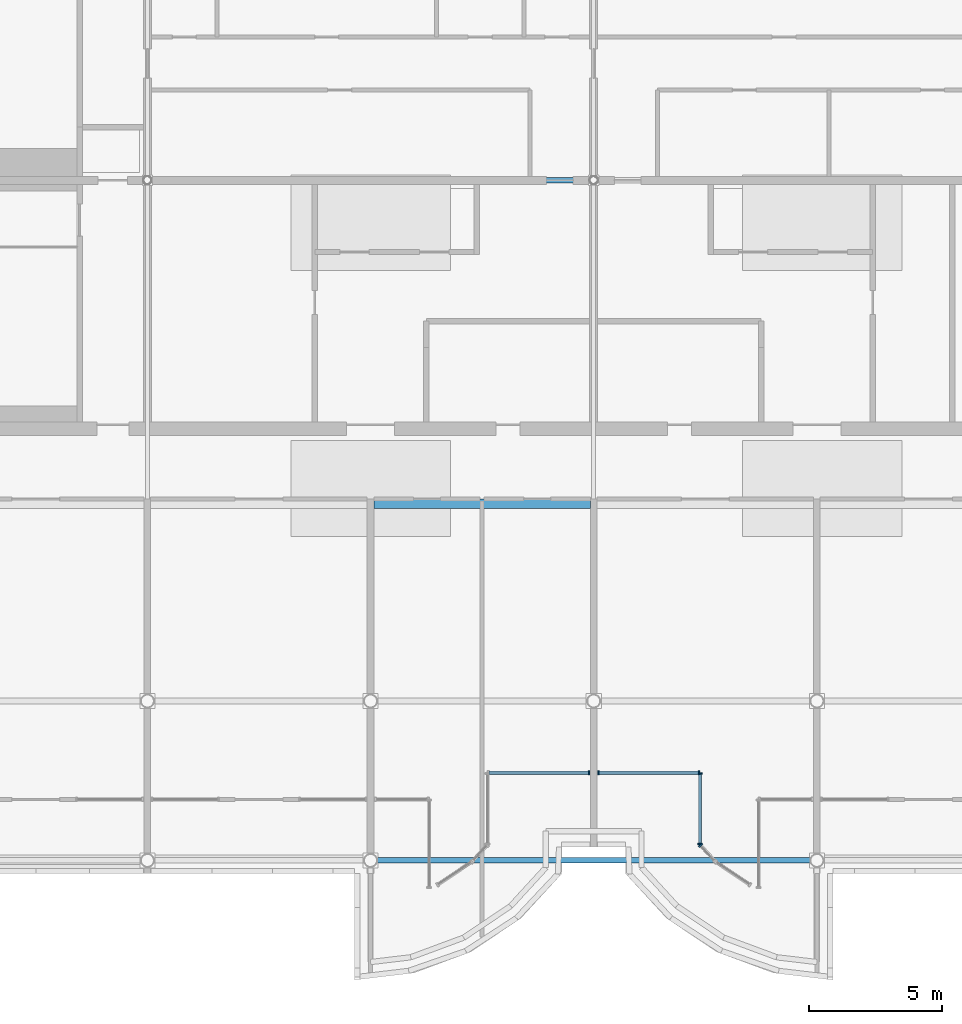
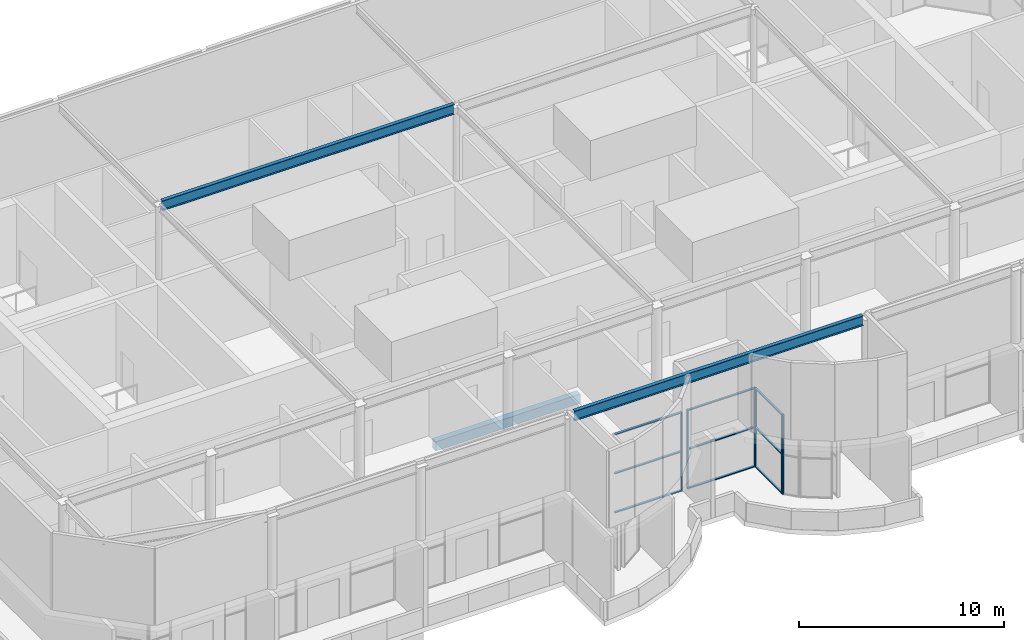
# One storey, part 9 of 25: 15 members, 3 beams, 4 elements without a shape of their own.
"""IFC4 building model written with IfcOpenShell, lengths in metres."""

from ifc_helpers import new_model, si_unit, direction, frame, origin, origin_2d, place, context, subcontext, project, spatial, rectangle, i_section, extrude, source, transform, mapped, material, material_profile, profile_set, type_object, element, aggregate, save


model = new_model("IFC4")

# Units and contexts
model_context = context("Model", 3, precision=1e-05, world=origin(), true_north=direction((0.0, 1.0)))
body_context = subcontext(model_context, "Body", "Model", "MODEL_VIEW")
ifc_project = project(units=[si_unit("LENGTHUNIT", "METRE"), si_unit("AREAUNIT", "SQUARE_METRE"), si_unit("VOLUMEUNIT", "CUBIC_METRE"), si_unit("PLANEANGLEUNIT", "RADIAN"), si_unit("MASSUNIT", "GRAM", prefix="KILO")], contexts=[model_context])

# Site, building, storey
site_placement = place(None, origin())
site = spatial("IfcSite", under=ifc_project, at=site_placement, CompositionType="ELEMENT")
building_placement = place(site_placement, origin())
building = spatial("IfcBuilding", under=site, at=building_placement, Name="Vanashikhar Sky Hotel", CompositionType="ELEMENT")
storey_placement = place(building_placement, frame((0.0, 0.0, 329.699951171875)))
storey = spatial("IfcBuildingStorey", under=building, at=storey_placement, Name="L78", CompositionType="ELEMENT", Elevation=329.699951171875)

# Beams
ifc_material_1 = material(Name="Concrete M50", Category="concrete")
ifc_material_profile_1 = material_profile(ifc_material_1, rectangle(XDim=0.35009765625, YDim=0.550048828125, at=origin_2d()))
ifc_profile_set_1 = profile_set([ifc_material_profile_1], Name="RC 350x550 beam Concrete M50")
beam_type_1 = type_object("IfcBeamType", Name="RC 350x550 beam Concrete M50", PredefinedType="SPANDREL", material=ifc_profile_set_1)
shared_shape_1 = source(origin(), body_context, "Body", "SweptSolid", [
    extrude(rectangle(XDim=0.35009765625, YDim=0.550048828125, at=origin_2d()), origin(), (0.0, 0.0, 1.0), 8.14990234375),
])
beam_1_placement = place(storey_placement, frame((42.125, 19.425048828125, -0.554931640625), z_axis=(1.0, 0.0, 0.0), x_axis=(0.0, 1.0, 0.0)))
element("IfcBeam", 1, at=beam_1_placement, inside=storey, type_object=beam_type_1, Name="CB-L78-03", PredefinedType="SPANDREL", context=body_context, shape_type="MappedRepresentation", body=[
    mapped(shared_shape_1, transform((0.0, 0.0, 0.0), scale=1.0)),
])
ifc_material_2 = material(Name="Steel S355", Category="steel")
ifc_material_profile_2 = material_profile(ifc_material_2, i_section(OverallWidth=0.2099609375, OverallDepth=0.60009765625, WebThickness=0.011962890625, FlangeThickness=0.020751953125, at=origin_2d()), Name="ISMB 600")
ifc_profile_set_2 = profile_set([ifc_material_profile_2], Name="Steel S355")
beam_type_2 = type_object("IfcBeamType", Name="ISMB 600 Steel S355", PredefinedType="BEAM", material=ifc_profile_set_2)
shared_shape_2 = source(origin(), body_context, "Body", "SweptSolid", [
    extrude(i_section(OverallWidth=0.2099609375, OverallDepth=0.60009765625, WebThickness=0.011962890625, FlangeThickness=0.020751953125, at=origin_2d()), origin(), (0.0, 0.0, 1.0), 16.2919921875),
])
beam_2_placement = place(storey_placement, frame((42.25390625, 6.0, 9.300048828125), z_axis=(1.0, 0.0, 0.0), x_axis=(0.0, 1.0, 0.0)))
element("IfcBeam", 2, at=beam_2_placement, inside=storey, type_object=beam_type_2, Name="CR-L78-X03", PredefinedType="BEAM", context=body_context, shape_type="MappedRepresentation", body=[
    mapped(shared_shape_2, transform((0.0, 0.0, 0.0), scale=1.0)),
])
shared_shape_3 = source(origin(), body_context, "Body", "SweptSolid", [
    extrude(i_section(OverallWidth=0.2099609375, OverallDepth=0.60009765625, WebThickness=0.011962890625, FlangeThickness=0.020751953125, at=origin_2d()), origin(), (0.0, 0.0, 1.0), 16.47607421875),
])
beam_3_placement = place(storey_placement, frame((33.761962890625, 31.60009765625, 9.300048828125), z_axis=(1.0, 0.0, 0.0), x_axis=(0.0, 1.0, 0.0)))
element("IfcBeam", 3, at=beam_3_placement, inside=storey, type_object=beam_type_2, Name="CR-L78-XM01", PredefinedType="BEAM", context=body_context, shape_type="MappedRepresentation", body=[
    mapped(shared_shape_3, transform((0.0, 0.0, 0.0), scale=1.0)),
])

# Curtain wall, member
ifc_material_3 = material(Name="Glass", Category="glass")
curtain_wall_type = type_object("IfcCurtainWallType", Name="Observation enclosure", PredefinedType="NOTDEFINED", material=ifc_material_3)
curtain_wall_1_placement = place(storey_placement, origin())
curtain_wall_1 = element("IfcCurtainWall", 4, at=curtain_wall_1_placement, inside=storey, type_object=curtain_wall_type, Name="Observation enclosure", PredefinedType="NOTDEFINED")
ifc_material_4 = material(Name="Aluminium 6063-T6", Category="aluminium")
ifc_material_profile_3 = material_profile(ifc_material_4, rectangle(XDim=0.159912109375, YDim=0.06005859375, at=origin_2d()))
ifc_profile_set_3 = profile_set([ifc_material_profile_3], Name="Aluminium 6063-T6")
member_type_1 = type_object("IfcMemberType", Name="Observation mullion 60 x 160", PredefinedType="MULLION", material=ifc_profile_set_3)
shared_shape_4 = source(origin(), body_context, "Body", "SweptSolid", [
    extrude(rectangle(XDim=0.159912109375, YDim=0.06005859375, at=origin_2d()), origin(), (0.0, 0.0, 1.0), 4.719970703125),
])
member_1_placement = place(storey_placement, frame((50.22509765625, 9.300048828125, 0.0), z_axis=(0.0, 0.0, 1.0), x_axis=(0.0, 1.0, 0.0)))
member_1 = element("IfcMember", 5, at=member_1_placement, type_object=member_type_1, Name="CW-6 mullion 2", PredefinedType="MULLION", context=body_context, shape_type="MappedRepresentation", body=[
    mapped(shared_shape_4, transform((0.0, 0.0, 0.0), scale=1.0)),
])

# Curtain wall, members
curtain_wall_2_placement = place(storey_placement, origin())
curtain_wall_2 = element("IfcCurtainWall", 6, at=curtain_wall_2_placement, inside=storey, type_object=curtain_wall_type, Name="Observation enclosure", PredefinedType="NOTDEFINED")
member_2_placement = place(storey_placement, frame((50.574951171875, 9.300048828125, 0.0), z_axis=(0.0, 0.0, 1.0), x_axis=(0.0, 1.0, 0.0)))
member_2 = element("IfcMember", 7, at=member_2_placement, type_object=member_type_1, Name="CW-6 mullion 1", PredefinedType="MULLION", context=body_context, shape_type="MappedRepresentation", body=[
    mapped(shared_shape_4, transform((0.0, 0.0, 0.0), scale=1.0)),
])
member_3_placement = place(storey_placement, frame((54.3701171875, 9.300048828125, 0.0), z_axis=(0.0, 0.0, 1.0), x_axis=(0.0, 1.0, 0.0)))
member_3 = element("IfcMember", 8, at=member_3_placement, type_object=member_type_1, Name="CW-6 mullion 2", PredefinedType="MULLION", context=body_context, shape_type="MappedRepresentation", body=[
    mapped(shared_shape_4, transform((0.0, 0.0, 0.0), scale=1.0)),
])

curtain_wall_3_placement = place(storey_placement, origin())
curtain_wall_3 = element("IfcCurtainWall", 9, at=curtain_wall_3_placement, inside=storey, type_object=curtain_wall_type, Name="Observation enclosure", PredefinedType="NOTDEFINED")
member_4_placement = place(storey_placement, frame((54.39990234375, 9.27001953125, 0.0), z_axis=(0.0, 0.0, 1.0), x_axis=(1.0, 0.0, 0.0)))
member_4 = element("IfcMember", 10, at=member_4_placement, type_object=member_type_1, Name="CW-6 mullion 1", PredefinedType="MULLION", context=body_context, shape_type="MappedRepresentation", body=[
    mapped(shared_shape_4, transform((0.0, 0.0, 0.0), scale=1.0)),
])
member_5_placement = place(storey_placement, frame((54.39990234375, 6.618408203125, 0.0), z_axis=(0.0, 0.0, 1.0), x_axis=(1.0, 0.0, 0.0)))
member_5 = element("IfcMember", 11, at=member_5_placement, type_object=member_type_1, Name="CW-6 mullion 2", PredefinedType="MULLION", context=body_context, shape_type="MappedRepresentation", body=[
    mapped(shared_shape_4, transform((0.0, 0.0, 0.0), scale=1.0)),
])

# Curtain wall, member
curtain_wall_4_placement = place(storey_placement, origin())
curtain_wall_4 = element("IfcCurtainWall", 12, at=curtain_wall_4_placement, inside=storey, type_object=curtain_wall_type, Name="Observation enclosure", PredefinedType="NOTDEFINED")
member_6_placement = place(storey_placement, frame((54.420166015625, 6.566162109375, 0.0), z_axis=(0.0, 0.0, 1.0), x_axis=(0.737486797128, 0.675361550624, 0.0)))
member_6 = element("IfcMember", 13, at=member_6_placement, type_object=member_type_1, Name="CW-6 mullion 1", PredefinedType="MULLION", context=body_context, shape_type="MappedRepresentation", body=[
    mapped(shared_shape_4, transform((0.0, 0.0, 0.0), scale=1.0)),
])
aggregate(curtain_wall_4, [member_6])

# Member
ifc_material_profile_4 = material_profile(ifc_material_4, rectangle(XDim=0.1201171875, YDim=0.06005859375, at=origin_2d()))
ifc_profile_set_4 = profile_set([ifc_material_profile_4], Name="Aluminium 6063-T6")
member_type_2 = type_object("IfcMemberType", Name="Observation transom 60 x 120", PredefinedType="USERDEFINED", material=ifc_profile_set_4)
shared_shape_5 = source(origin(), body_context, "Body", "SweptSolid", [
    extrude(rectangle(XDim=0.1201171875, YDim=0.06005859375, at=origin_2d()), origin(), (0.0, 0.0, 1.0), 2.591552734375),
])
member_7_placement = place(storey_placement, frame((54.39990234375, 9.239990234375, 0.030029296875), z_axis=(0.0, -1.0, 0.0), x_axis=(1.0, 0.0, 0.0)))
member_7 = element("IfcMember", 14, at=member_7_placement, type_object=member_type_2, Name="CW-6 transom 1.1", ObjectType="TRANSOM", PredefinedType="USERDEFINED", context=body_context, shape_type="MappedRepresentation", body=[
    mapped(shared_shape_5, transform((0.0, 0.0, 0.0), scale=1.0)),
])

member_8_placement = place(storey_placement, frame((54.39990234375, 9.239990234375, 2.360107421875), z_axis=(0.0, -1.0, 0.0), x_axis=(1.0, 0.0, 0.0)))
member_8 = element("IfcMember", 15, at=member_8_placement, type_object=member_type_2, Name="CW-6 transom 1.2", ObjectType="TRANSOM", PredefinedType="USERDEFINED", context=body_context, shape_type="MappedRepresentation", body=[
    mapped(shared_shape_5, transform((0.0, 0.0, 0.0), scale=1.0)),
])

member_9_placement = place(storey_placement, frame((54.39990234375, 9.239990234375, 4.68994140625), z_axis=(0.0, -1.0, 0.0), x_axis=(1.0, 0.0, 0.0)))
member_9 = element("IfcMember", 16, at=member_9_placement, type_object=member_type_2, Name="CW-6 transom 1.3", ObjectType="TRANSOM", PredefinedType="USERDEFINED", context=body_context, shape_type="MappedRepresentation", body=[
    mapped(shared_shape_5, transform((0.0, 0.0, 0.0), scale=1.0)),
])

aggregate(curtain_wall_3, [member_4, member_5, member_7, member_8, member_9])

shared_shape_6 = source(origin(), body_context, "Body", "SweptSolid", [
    extrude(rectangle(XDim=0.1201171875, YDim=0.06005859375, at=origin_2d()), origin(), (0.0, 0.0, 1.0), 3.735107421875),
])
member_10_placement = place(storey_placement, frame((46.4599609375, 9.300048828125, 0.030029296875), z_axis=(1.0, 0.0, 0.0), x_axis=(0.0, 1.0, 0.0)))
member_10 = element("IfcMember", 17, at=member_10_placement, type_object=member_type_2, Name="CW-6 transom 1.1", ObjectType="TRANSOM", PredefinedType="USERDEFINED", context=body_context, shape_type="MappedRepresentation", body=[
    mapped(shared_shape_6, transform((0.0, 0.0, 0.0), scale=1.0)),
])

member_11_placement = place(storey_placement, frame((46.4599609375, 9.300048828125, 2.360107421875), z_axis=(1.0, 0.0, 0.0), x_axis=(0.0, 1.0, 0.0)))
member_11 = element("IfcMember", 18, at=member_11_placement, type_object=member_type_2, Name="CW-6 transom 1.2", ObjectType="TRANSOM", PredefinedType="USERDEFINED", context=body_context, shape_type="MappedRepresentation", body=[
    mapped(shared_shape_6, transform((0.0, 0.0, 0.0), scale=1.0)),
])

member_12_placement = place(storey_placement, frame((46.4599609375, 9.300048828125, 4.68994140625), z_axis=(1.0, 0.0, 0.0), x_axis=(0.0, 1.0, 0.0)))
member_12 = element("IfcMember", 19, at=member_12_placement, type_object=member_type_2, Name="CW-6 transom 1.3", ObjectType="TRANSOM", PredefinedType="USERDEFINED", context=body_context, shape_type="MappedRepresentation", body=[
    mapped(shared_shape_6, transform((0.0, 0.0, 0.0), scale=1.0)),
])

aggregate(curtain_wall_1, [member_1, member_10, member_11, member_12])

member_13_placement = place(storey_placement, frame((50.60498046875, 9.300048828125, 0.030029296875), z_axis=(1.0, 0.0, 0.0), x_axis=(0.0, 1.0, 0.0)))
member_13 = element("IfcMember", 20, at=member_13_placement, type_object=member_type_2, Name="CW-6 transom 1.1", ObjectType="TRANSOM", PredefinedType="USERDEFINED", context=body_context, shape_type="MappedRepresentation", body=[
    mapped(shared_shape_6, transform((0.0, 0.0, 0.0), scale=1.0)),
])

member_14_placement = place(storey_placement, frame((50.60498046875, 9.300048828125, 2.360107421875), z_axis=(1.0, 0.0, 0.0), x_axis=(0.0, 1.0, 0.0)))
member_14 = element("IfcMember", 21, at=member_14_placement, type_object=member_type_2, Name="CW-6 transom 1.2", ObjectType="TRANSOM", PredefinedType="USERDEFINED", context=body_context, shape_type="MappedRepresentation", body=[
    mapped(shared_shape_6, transform((0.0, 0.0, 0.0), scale=1.0)),
])

member_15_placement = place(storey_placement, frame((50.60498046875, 9.300048828125, 4.68994140625), z_axis=(1.0, 0.0, 0.0), x_axis=(0.0, 1.0, 0.0)))
member_15 = element("IfcMember", 22, at=member_15_placement, type_object=member_type_2, Name="CW-6 transom 1.3", ObjectType="TRANSOM", PredefinedType="USERDEFINED", context=body_context, shape_type="MappedRepresentation", body=[
    mapped(shared_shape_6, transform((0.0, 0.0, 0.0), scale=1.0)),
])

aggregate(curtain_wall_2, [member_2, member_3, member_13, member_14, member_15])

save(model, "model.ifc")
